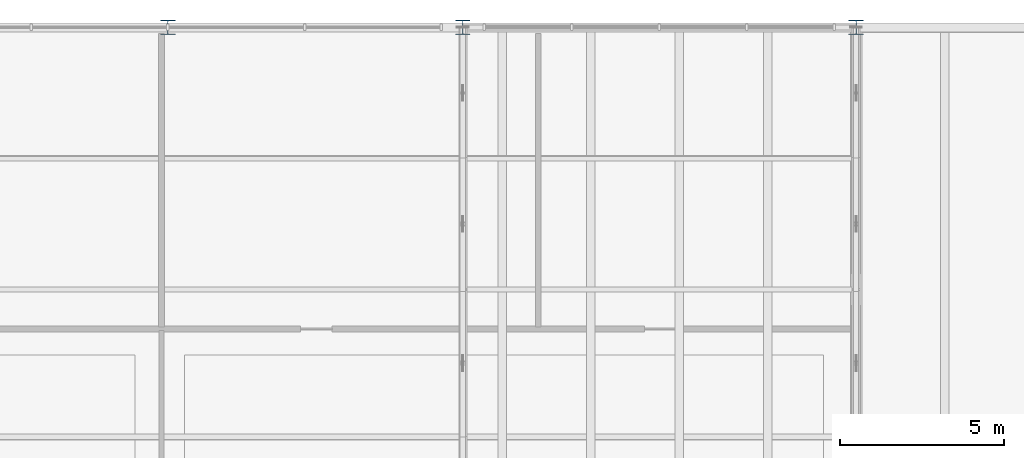
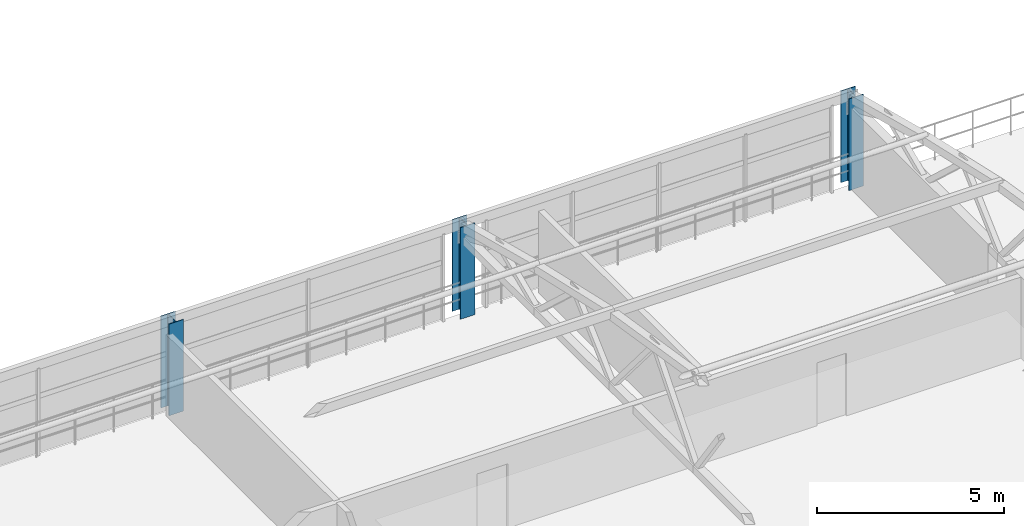
# One storey, part 6 of 50: 3 columns.
"""IFC4 building model written with IfcOpenShell, lengths in metres."""

from ifc_helpers import new_model, si_unit, derived_unit, direction, frame, origin, origin_2d, place, context, subcontext, project, spatial, i_section, extrude, material, material_profile, profile_set, type_object, element, save


model = new_model("IFC4")

# Units and contexts
model_context = context("Model", 3, precision=1e-05, world=origin(), true_north=direction((0.0, 1.0)))
body_context = subcontext(model_context, "Body", "Model", "MODEL_VIEW")
ifc_project = project(units=[si_unit("LENGTHUNIT", "METRE"), si_unit("AREAUNIT", "SQUARE_METRE"), si_unit("VOLUMEUNIT", "CUBIC_METRE"), si_unit("PLANEANGLEUNIT", "RADIAN"), si_unit("MASSUNIT", "GRAM", prefix="KILO"), si_unit("THERMODYNAMICTEMPERATUREUNIT", "KELVIN"), derived_unit("THERMALTRANSMITTANCEUNIT", [(si_unit("POWERUNIT", "WATT"), 1), (si_unit("AREAUNIT", "SQUARE_METRE"), -1), (si_unit("THERMODYNAMICTEMPERATUREUNIT", "KELVIN"), -1)])], contexts=[model_context])

# Site, building, storey
site_placement = place(None, origin())
site = spatial("IfcSite", under=ifc_project, at=site_placement, CompositionType="ELEMENT")
building_placement = place(site_placement, origin())
building = spatial("IfcBuilding", under=site, at=building_placement, Name="Haiyu Intermodal Mobility Hub", CompositionType="ELEMENT")
storey_placement = place(building_placement, frame((0.0, 0.0, 25.10009765625)))
storey = spatial("IfcBuildingStorey", under=building, at=storey_placement, Name="L06", CompositionType="ELEMENT", Elevation=25.10009765625)

# Columns
ifc_material = material(Name="Steel Q355C", Category="steel")
ifc_material_profile = material_profile(ifc_material, i_section(OverallWidth=0.449951171875, OverallDepth=0.449951171875, WebThickness=0.01611328125, FlangeThickness=0.02587890625, FilletRadius=0.02197265625, at=origin_2d()), Name="HW450x450x16x26")
ifc_profile_set = profile_set([ifc_material_profile], Name="Steel Q355C")
column_type = type_object("IfcColumnType", Name="COL-SC04-EXT", PredefinedType="COLUMN", material=ifc_profile_set)
for number, where, z_axis, x_axis, name in (
    (1, (87.0, 148.0, 0.0), (0.0, 0.0, 1.0), (1.0, 0.0, 0.0), "Column V4-10S L06"),
    (2, (96.0, 148.0, 0.0), (0.0, 0.0, 1.0), (1.0, 0.0, 0.0), "Column V4-11S L06"),
    (3, (108.0, 148.0, 0.0), (0.0, 0.0, 1.0), (1.0, 0.0, 0.0), "Column V4-12S L06"),
):
    element("IfcColumn", number, at=place(storey_placement, frame(where, z_axis=z_axis, x_axis=x_axis)), inside=storey, type_object=column_type, Name=name, PredefinedType="COLUMN", context=body_context, shape_type="SweptSolid", body=[
        extrude(i_section(OverallWidth=0.449951171875, OverallDepth=0.449951171875, WebThickness=0.01611328125, FlangeThickness=0.02587890625, FilletRadius=0.02197265625, at=origin_2d()), origin(), (0.0, 0.0, 1.0), 2.989990234375),
    ])

save(model, "model.ifc")
